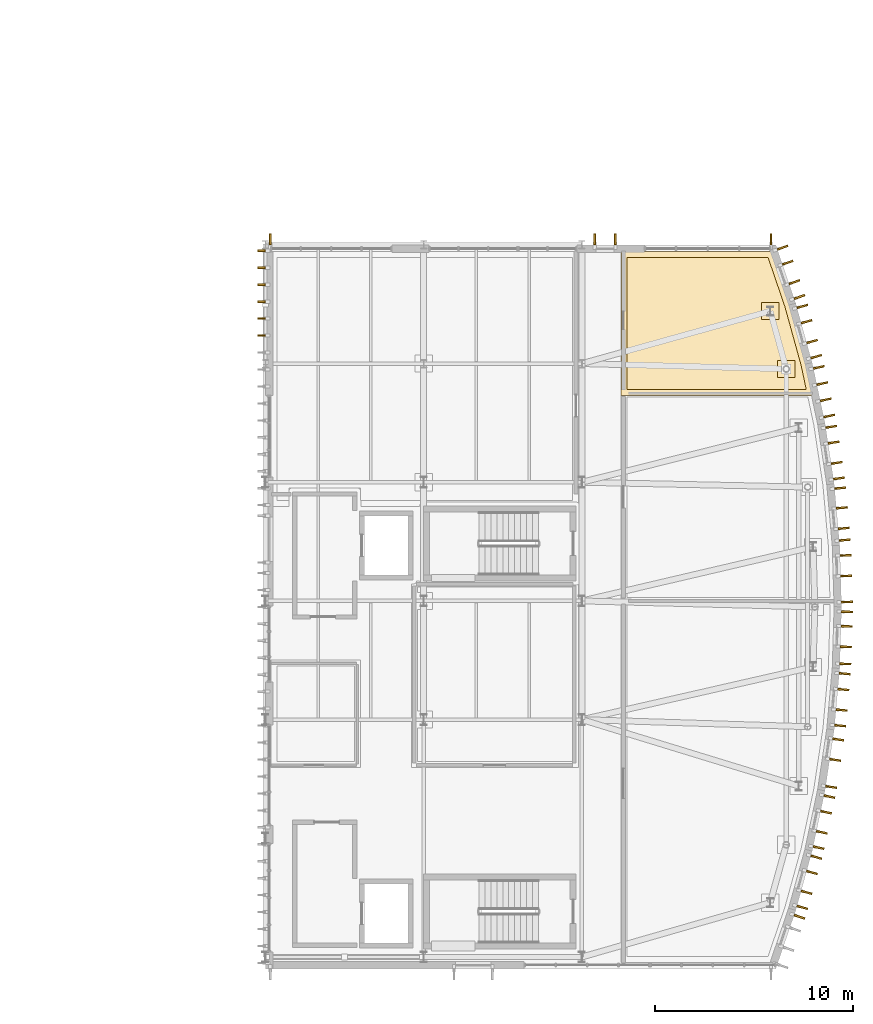
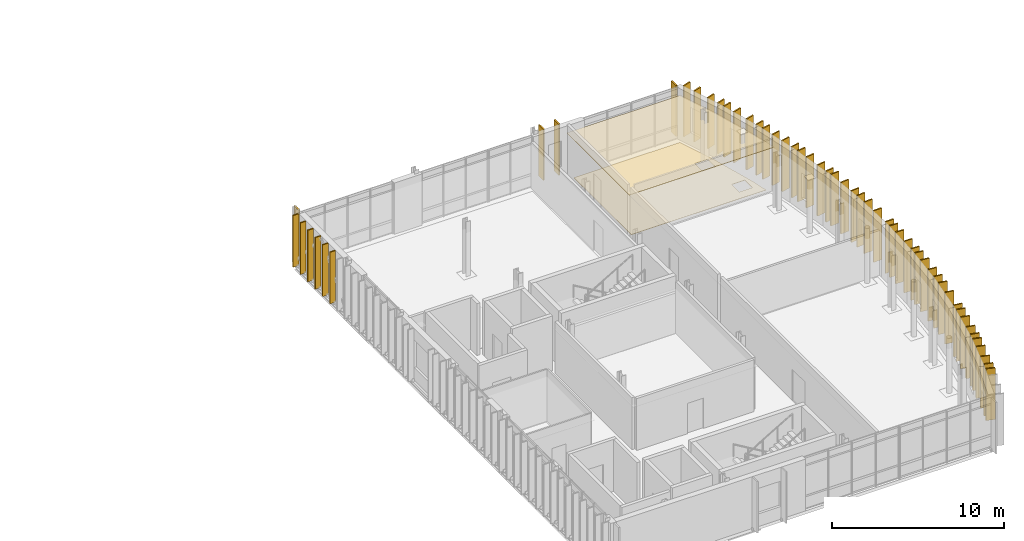
# One storey, part 43 of 43: 55 coverings.
"""IFC4 building model written with IfcOpenShell, lengths in metres."""

from ifc_helpers import new_model, si_unit, direction, frame, origin, origin_2d, place, context, subcontext, project, spatial, polyline, rectangle, outline, extrude, material, layer, layer_set, type_object, element, save


model = new_model("IFC4")

# Units and contexts
model_context = context("Model", 3, precision=1e-05, world=origin(), true_north=direction((0.0, 1.0)))
body_context = subcontext(model_context, "Body", "Model", "MODEL_VIEW")
ifc_project = project(units=[si_unit("LENGTHUNIT", "METRE"), si_unit("AREAUNIT", "SQUARE_METRE"), si_unit("VOLUMEUNIT", "CUBIC_METRE"), si_unit("PLANEANGLEUNIT", "RADIAN"), si_unit("MASSUNIT", "GRAM", prefix="KILO")], contexts=[model_context])

# Site, building, storey
site_placement = place(None, origin())
site = spatial("IfcSite", under=ifc_project, at=site_placement, CompositionType="ELEMENT")
building_placement = place(site_placement, origin())
building = spatial("IfcBuilding", under=site, at=building_placement, Name="Cymarion Research Institute", CompositionType="ELEMENT")
storey_placement = place(building_placement, frame((0.0, 0.0, 22.800048828125)))
storey = spatial("IfcBuildingStorey", under=building, at=storey_placement, Name="L05", CompositionType="ELEMENT", Elevation=22.800048828125)

# Coverings
ifc_material_1 = material(Name="Micro-perforated mineral acoustic ceiling tile", Category="gypsum")
ifc_layer_1 = layer(ifc_material_1, 0.030029296875)
ifc_layer_set_1 = layer_set([ifc_layer_1], Name="Micro-perforated mineral acoustic ceiling tile")
covering_type_1 = type_object("IfcCoveringType", Name="ACOUSTIC MICRO-PERFORATED SUSPENDED CEILING CLG-01", PredefinedType="CEILING", material=ifc_layer_set_1)
covering_1_placement = place(storey_placement, frame((0.0, 0.0, 3.08984375)))
element("IfcCovering", 1, at=covering_1_placement, inside=storey, type_object=covering_type_1, Name="L05 L05 Accessible Restroom & Tea Pantry acoustic ceiling", PredefinedType="CEILING", context=body_context, shape_type="SweptSolid", body=[
    extrude(outline(polyline([(164.22412109375, 41.1650390625), (165.14599609375, 38.47021484375), (165.971923828125, 35.482666015625), (166.31201171875, 33.885009765625), (156.5849609375, 33.885009765625), (156.5849609375, 41.1650390625), (164.22412109375, 41.1650390625)])), origin(), (0.0, 0.0, 1.0), 0.030029296875),
])
ifc_material_2 = material(Name="Precast concrete C45/55 architectural white", Category="concrete")
ifc_layer_2 = layer(ifc_material_2, 0.090087890625)
ifc_layer_set_2 = layer_set([ifc_layer_2], Name="Precast concrete C45/55 architectural white")
covering_type_2 = type_object("IfcCoveringType", Name="ARCHITECTURAL WHITE PRECAST CONCRETE VERTICAL FIN FIN1 560MM", PredefinedType="CLADDING", material=ifc_layer_set_2)
for number, where, z_axis, x_axis, name in (
    (2, (165.597900390625, 7.530029296875, 0.009765625), (0.0, 0.0, 1.0), (0.946141878672, -0.32375229022, 0.0), "L05 V1 white precast vertical fin FIN1 #512"),
    (3, (165.74462890625, 8.004638671875, 0.009765625), (0.0, 0.0, 1.0), (0.963863295733, -0.266397348219, 0.0), "L05 V1 white precast vertical fin FIN1 #513"),
    (4, (165.95556640625, 8.76806640625, 0.009765625), (0.0, 0.0, 1.0), (0.963863295733, -0.266397348219, 0.0), "L05 V1 white precast vertical fin FIN1 #514"),
    (5, (166.232666015625, 9.7705078125, 0.009765625), (0.0, 0.0, 1.0), (0.963863295733, -0.266397348219, 0.0), "L05 V1 white precast vertical fin FIN1 #515"),
    (6, (166.447021484375, 10.545654296875, 0.009765625), (0.0, 0.0, 1.0), (0.963863295733, -0.266397348219, 0.0), "L05 V1 white precast vertical fin FIN1 #516"),
    (7, (166.56494140625, 11.028076171875, 0.009765625), (0.0, 0.0, 1.0), (0.978074966272, -0.208253116068, 0.0), "L05 V1 white precast vertical fin FIN1 #517"),
    (8, (166.72998046875, 11.802734375, 0.009765625), (0.0, 0.0, 1.0), (0.978074966272, -0.208253116068, 0.0), "L05 V1 white precast vertical fin FIN1 #518"),
    (9, (166.946533203125, 12.820068359375, 0.009765625), (0.0, 0.0, 1.0), (0.978074966272, -0.208253116068, 0.0), "L05 V1 white precast vertical fin FIN1 #519"),
    (10, (167.114013671875, 13.606689453125, 0.009765625), (0.0, 0.0, 1.0), (0.978074966272, -0.208253116068, 0.0), "L05 V1 white precast vertical fin FIN1 #520"),
    (11, (167.202880859375, 14.09521484375, 0.009765625), (0.0, 0.0, 1.0), (0.988782464828, -0.149362770624, 0.0), "L05 V1 white precast vertical fin FIN1 #521"),
    (12, (167.409423828125, 15.4638671875, 0.009765625), (0.0, 0.0, 1.0), (0.988782464828, -0.149362770624, 0.0), "L05 V1 white precast vertical fin FIN1 #522"),
    (13, (167.564697265625, 16.4921875, 0.009765625), (0.0, 0.0, 1.0), (0.988782464828, -0.149362770624, 0.0), "L05 V1 white precast vertical fin FIN1 #523"),
    (14, (167.65576171875, 17.195068359375, 0.009765625), (0.0, 0.0, 1.0), (0.995963111248, -0.089763472712, 0.0), "L05 V1 white precast vertical fin FIN1 #524"),
    (15, (167.726806640625, 17.98388671875, 0.009765625), (0.0, 0.0, 1.0), (0.995963111248, -0.089763472712, 0.0), "L05 V1 white precast vertical fin FIN1 #525"),
    (16, (167.8203125, 19.019775390625, 0.009765625), (0.0, 0.0, 1.0), (0.995963111248, -0.089763472712, 0.0), "L05 V1 white precast vertical fin FIN1 #526"),
    (17, (167.892333984375, 19.82080078125, 0.009765625), (0.0, 0.0, 1.0), (0.995963111248, -0.089763472712, 0.0), "L05 V1 white precast vertical fin FIN1 #527"),
    (18, (167.922119140625, 20.31640625, 0.009765625), (0.0, 0.0, 1.0), (0.99954944375, -0.030015154483, 0.0), "L05 V1 white precast vertical fin FIN1 #528"),
    (19, (167.947998046875, 21.17919921875, 0.009765625), (0.0, 0.0, 1.0), (0.99954944375, -0.030015154483, 0.0), "L05 V1 white precast vertical fin FIN1 #529"),
    (20, (167.979248046875, 22.21875, 0.009765625), (0.0, 0.0, 1.0), (0.99954944375, -0.030015154483, 0.0), "L05 V1 white precast vertical fin FIN1 #530"),
    (21, (168.001220703125, 22.95166015625, 0.009765625), (0.0, 0.0, 1.0), (0.99954944375, -0.030015154483, 0.0), "L05 V1 white precast vertical fin FIN1 #531"),
    (22, (168.001220703125, 23.4482421875, 0.009765625), (0.0, 0.0, 1.0), (0.99954944375, 0.030015154483, 0.0), "L05 V1 white precast vertical fin FIN1 #532"),
    (23, (167.961669921875, 24.763916015625, 0.009765625), (0.0, 0.0, 1.0), (0.99954944375, 0.030015154483, 0.0), "L05 V1 white precast vertical fin FIN1 #533"),
    (24, (167.9306640625, 25.80322265625, 0.009765625), (0.0, 0.0, 1.0), (0.99954944375, 0.030015154483, 0.0), "L05 V1 white precast vertical fin FIN1 #534"),
    (25, (167.892333984375, 26.579345703125, 0.009765625), (0.0, 0.0, 1.0), (0.995963111248, 0.089763472712, 0.0), "L05 V1 white precast vertical fin FIN1 #535"),
    (26, (167.8388671875, 27.1728515625, 0.009765625), (0.0, 0.0, 1.0), (0.995963111248, 0.089763472712, 0.0), "L05 V1 white precast vertical fin FIN1 #536"),
    (27, (167.74560546875, 28.20849609375, 0.009765625), (0.0, 0.0, 1.0), (0.995963111248, 0.089763472712, 0.0), "L05 V1 white precast vertical fin FIN1 #537"),
    (28, (167.65576171875, 29.204833984375, 0.009765625), (0.0, 0.0, 1.0), (0.995963111248, 0.089763472712, 0.0), "L05 V1 white precast vertical fin FIN1 #538"),
):
    element("IfcCovering", number, at=place(storey_placement, frame(where, z_axis=z_axis, x_axis=x_axis)), inside=storey, type_object=covering_type_2, Name=name, PredefinedType="CLADDING", context=body_context, shape_type="SweptSolid", body=[
        extrude(rectangle(XDim=0.56005859375, YDim=0.090087890625, at=origin_2d()), origin(), (0.0, 0.0, 1.0), 3.659912109375),
    ])
for number, where, z_axis, x_axis, name in (
    (29, (167.59619140625, 29.697998046875, 0.010009765625), (0.0, 0.0, 1.0), (0.988782464828, 0.149362770624, 0.0), "L05 V1 white precast vertical fin FIN1 #539"),
    (30, (167.47802734375, 30.481201171875, 0.010009765625), (0.0, 0.0, 1.0), (0.988782464828, 0.149362770624, 0.0), "L05 V1 white precast vertical fin FIN1 #540"),
    (31, (167.32275390625, 31.509521484375, 0.010009765625), (0.0, 0.0, 1.0), (0.988782464828, 0.149362770624, 0.0), "L05 V1 white precast vertical fin FIN1 #541"),
    (32, (167.202880859375, 32.3046875, 0.010009765625), (0.0, 0.0, 1.0), (0.988782464828, 0.149362770624, 0.0), "L05 V1 white precast vertical fin FIN1 #542"),
    (33, (167.1015625, 32.85205078125, 0.010009765625), (0.0, 0.0, 1.0), (0.978074966272, 0.208253116068, 0.0), "L05 V1 white precast vertical fin FIN1 #543"),
    (34, (166.9267578125, 33.672607421875, 0.010009765625), (0.0, 0.0, 1.0), (0.978074966272, 0.208253116068, 0.0), "L05 V1 white precast vertical fin FIN1 #544"),
    (35, (166.752197265625, 34.492919921875, 0.010009765625), (0.0, 0.0, 1.0), (0.978074966272, 0.208253116068, 0.0), "L05 V1 white precast vertical fin FIN1 #545"),
    (36, (166.577392578125, 35.313232421875, 0.010009765625), (0.0, 0.0, 1.0), (0.978074966272, 0.208253116068, 0.0), "L05 V1 white precast vertical fin FIN1 #546"),
    (37, (166.447021484375, 35.8544921875, 0.010009765625), (0.0, 0.0, 1.0), (0.963863295733, 0.266397348219, 0.0), "L05 V1 white precast vertical fin FIN1 #547"),
    (38, (166.236083984375, 36.61767578125, 0.010009765625), (0.0, 0.0, 1.0), (0.963863295733, 0.266397348219, 0.0), "L05 V1 white precast vertical fin FIN1 #548"),
    (39, (165.958984375, 37.6201171875, 0.010009765625), (0.0, 0.0, 1.0), (0.963863295733, 0.266397348219, 0.0), "L05 V1 white precast vertical fin FIN1 #549"),
    (40, (165.74462890625, 38.395263671875, 0.010009765625), (0.0, 0.0, 1.0), (0.963863295733, 0.266397348219, 0.0), "L05 V1 white precast vertical fin FIN1 #550"),
    (41, (165.597900390625, 38.869873046875, 0.010009765625), (0.0, 0.0, 1.0), (0.946141878672, 0.32375229022, 0.0), "L05 V1 white precast vertical fin FIN1 #551"),
    (42, (165.341552734375, 39.619140625, 0.010009765625), (0.0, 0.0, 1.0), (0.946141878672, 0.32375229022, 0.0), "L05 V1 white precast vertical fin FIN1 #552"),
    (43, (165.0048828125, 40.603271484375, 0.010009765625), (0.0, 0.0, 1.0), (0.946141878672, 0.32375229022, 0.0), "L05 V1 white precast vertical fin FIN1 #553"),
    (44, (164.744384765625, 41.3642578125, 0.010009765625), (0.0, 0.0, 1.0), (0.946141878672, 0.32375229022, 0.0), "L05 V1 white precast vertical fin FIN1 #554"),
    (45, (164.159912109375, 41.781982421875, 0.010009765625), (0.0, 0.0, 1.0), (0.0, 1.0, 0.0), "L05 V1 white precast vertical fin FIN1 #555"),
    (46, (156.289794921875, 41.781982421875, 0.010009765625), (0.0, 0.0, 1.0), (0.0, 1.0, 0.0), "L05 V1 white precast vertical fin FIN1 #556"),
    (47, (155.249755859375, 41.781982421875, 0.010009765625), (0.0, 0.0, 1.0), (0.0, 1.0, 0.0), "L05 V1 white precast vertical fin FIN1 #557"),
    (48, (138.840087890625, 41.781982421875, 0.010009765625), (0.0, 0.0, 1.0), (0.0, 1.0, 0.0), "L05 V1 white precast vertical fin FIN1 #558"),
):
    element("IfcCovering", number, at=place(storey_placement, frame(where, z_axis=z_axis, x_axis=x_axis)), inside=storey, type_object=covering_type_2, Name=name, PredefinedType="CLADDING", context=body_context, shape_type="SweptSolid", body=[
        extrude(rectangle(XDim=0.56005859375, YDim=0.090087890625, at=origin_2d()), origin(), (0.0, 0.0, 1.0), 3.6201171875),
    ])
ifc_layer_3 = layer(ifc_material_2, 0.0849609375)
ifc_layer_set_3 = layer_set([ifc_layer_3], Name="Precast concrete C45/55 architectural white")
covering_type_3 = type_object("IfcCoveringType", Name="ARCHITECTURAL WHITE PRECAST CONCRETE VERTICAL FIN FIN3 380MM", PredefinedType="CLADDING", material=ifc_layer_set_3)
for number, where, z_axis, x_axis, name in (
    (49, (138.407958984375, 41.199951171875, 0.009765625), (0.0, 0.0, 1.0), (-1.0, 0.0, 0.0), "L05 V1 white precast vertical fin FIN3 #559"),
    (50, (138.407958984375, 40.343017578125, 0.009765625), (0.0, 0.0, 1.0), (-1.0, 0.0, 0.0), "L05 V1 white precast vertical fin FIN3 #560"),
    (51, (138.407958984375, 39.485595703125, 0.009765625), (0.0, 0.0, 1.0), (-1.0, 0.0, 0.0), "L05 V1 white precast vertical fin FIN3 #561"),
    (52, (138.407958984375, 38.628662109375, 0.009765625), (0.0, 0.0, 1.0), (-1.0, 0.0, 0.0), "L05 V1 white precast vertical fin FIN3 #562"),
    (53, (138.407958984375, 37.771484375, 0.009765625), (0.0, 0.0, 1.0), (-1.0, 0.0, 0.0), "L05 V1 white precast vertical fin FIN3 #563"),
    (54, (138.407958984375, 36.914306640625, 0.009765625), (0.0, 0.0, 1.0), (-1.0, 0.0, 0.0), "L05 V1 white precast vertical fin FIN3 #564"),
):
    element("IfcCovering", number, at=place(storey_placement, frame(where, z_axis=z_axis, x_axis=x_axis)), inside=storey, type_object=covering_type_3, Name=name, PredefinedType="CLADDING", context=body_context, shape_type="SweptSolid", body=[
        extrude(rectangle(XDim=0.3798828125, YDim=0.0849609375, at=origin_2d()), origin(), (0.0, 0.0, 1.0), 3.659912109375),
    ])
ifc_material_3 = material(Name="Seamless dissipative epoxy resin flooring", Category="resin")
ifc_layer_4 = layer(ifc_material_3, 0.02001953125)
ifc_layer_set_4 = layer_set([ifc_layer_4], Name="Seamless dissipative epoxy resin flooring")
covering_type_4 = type_object("IfcCoveringType", Name="SEAMLESS ESD EPOXY LABORATORY FLOORING FLR-01", PredefinedType="FLOORING", material=ifc_layer_set_4)
covering_2_placement = place(storey_placement, origin())
element("IfcCovering", 55, at=covering_2_placement, inside=storey, type_object=covering_type_4, Name="L05 L05 Accessible Restroom & Tea Pantry ESD epoxy flooring", PredefinedType="FLOORING", context=body_context, shape_type="SweptSolid", body=[
    extrude(outline(polyline([(156.885009765625, 40.864990234375), (164.009521484375, 40.864990234375), (164.859130859375, 38.381591796875), (165.680419921875, 35.411376953125), (165.94140625, 34.18505859375), (156.885009765625, 34.18505859375), (156.885009765625, 40.864990234375)]), holes=[polyline([(164.492919921875, 35.662353515625), (164.492919921875, 34.792236328125), (165.36279296875, 34.792236328125), (165.36279296875, 35.662353515625), (164.492919921875, 35.662353515625)]), polyline([(163.68408203125, 38.587890625), (163.68408203125, 37.718017578125), (164.553955078125, 37.718017578125), (164.553955078125, 38.587890625), (163.68408203125, 38.587890625)])]), origin(), (0.0, 0.0, 1.0), 0.02001953125),
])

save(model, "model.ifc")
